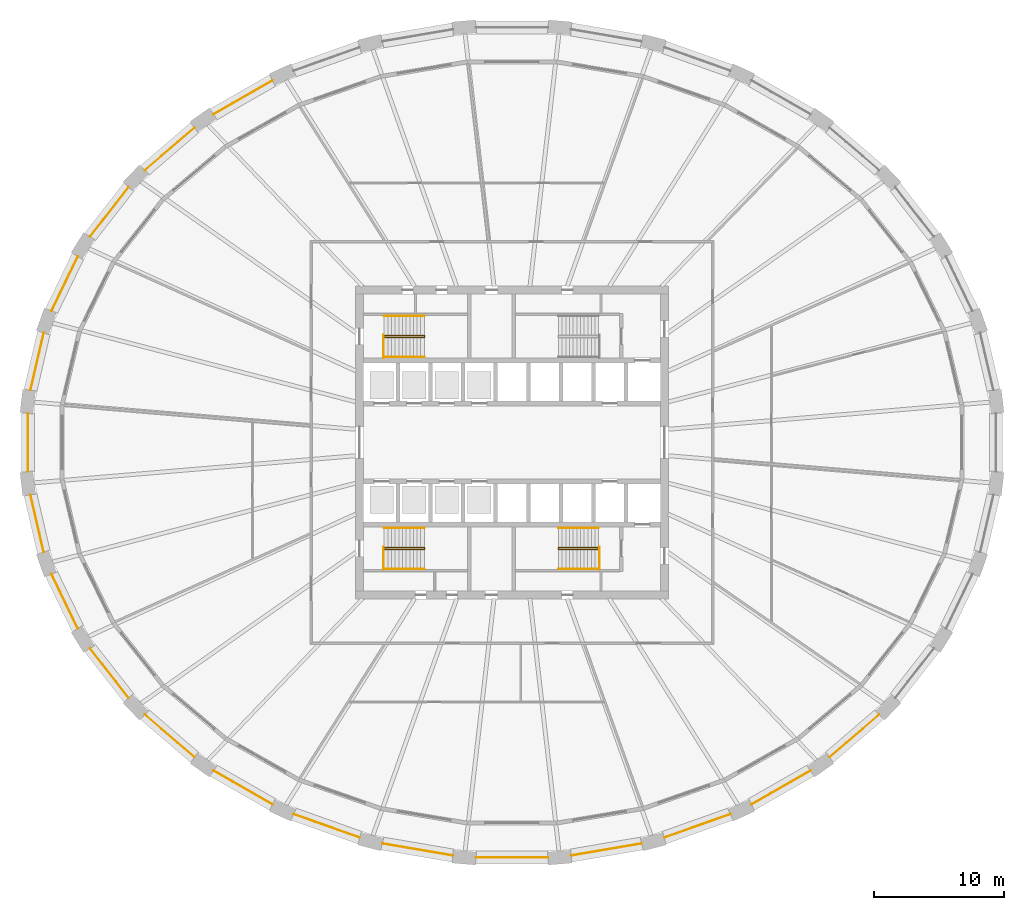
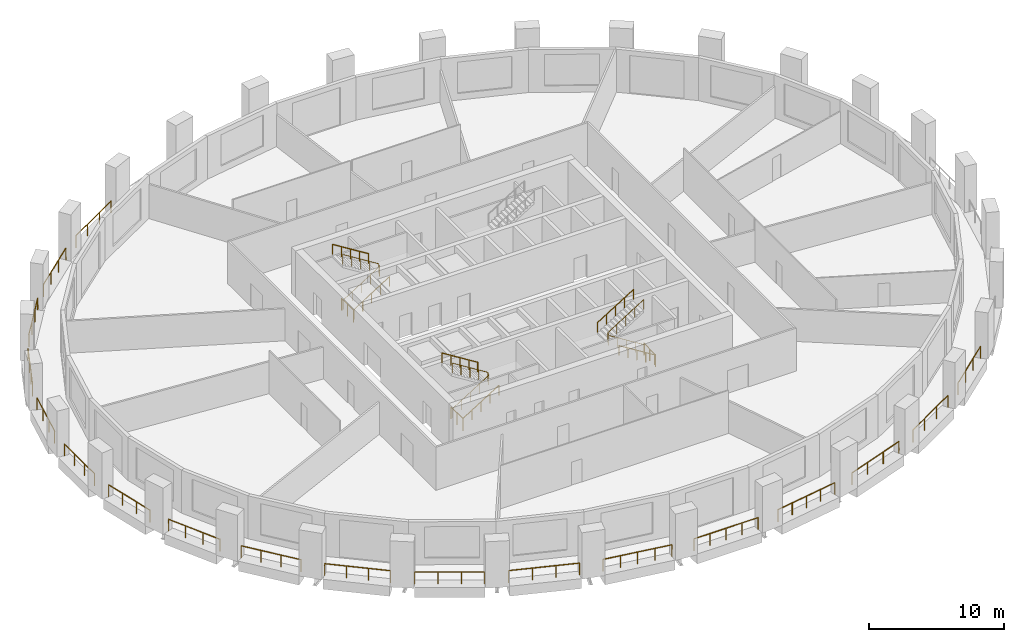
# One storey, part 8 of 10: 30 railings.
"""IFC4 building model written with IfcOpenShell, lengths in metres."""

from ifc_helpers import new_model, si_unit, direction, frame, origin, origin_2d, place, context, subcontext, project, spatial, circle, extrude, material, type_object, element, save


model = new_model("IFC4")

# Units and contexts
model_context = context("Model", 3, precision=1e-05, world=origin(), true_north=direction((0.0, 1.0)))
body_context = subcontext(model_context, "Body", "Model", "MODEL_VIEW")
ifc_project = project(units=[si_unit("LENGTHUNIT", "METRE"), si_unit("AREAUNIT", "SQUARE_METRE"), si_unit("VOLUMEUNIT", "CUBIC_METRE"), si_unit("PLANEANGLEUNIT", "RADIAN"), si_unit("MASSUNIT", "GRAM", prefix="KILO")], contexts=[model_context])

# Site, building, storey
site_placement = place(None, origin())
site = spatial("IfcSite", under=ifc_project, at=site_placement, CompositionType="ELEMENT")
building_placement = place(site_placement, origin())
building = spatial("IfcBuilding", under=site, at=building_placement, Name="Halqa Exchange Tower", CompositionType="ELEMENT")
storey_placement = place(building_placement, frame((0.0, 0.0, 48.699951171875)))
storey = spatial("IfcBuildingStorey", under=building, at=storey_placement, Name="L10", CompositionType="ELEMENT", Elevation=48.699951171875)

# Railings
ifc_material = material(Name="Stainless steel", Category="steel")
railing_type_1 = type_object("IfcRailingType", Name="Guard 1100 stainless steel", PredefinedType="GUARDRAIL", material=ifc_material)
railing_1_placement = place(storey_placement, frame((-18.37158203125, 27.760986328125, 0.0)))
element("IfcRailing", 1, at=railing_1_placement, inside=storey, type_object=railing_type_1, Name="Loggia guard 11", PredefinedType="GUARDRAIL", context=body_context, shape_type="SweptSolid", body=[
    extrude(circle(Radius=0.02392578125, at=origin_2d()), frame((0.0, 0.0, 1.076171875), z_axis=(-0.867758186628, -0.496986649258, 0.0), x_axis=(0.496986649258, -0.867758186628, 0.0)), (0.0, 0.0, 1.0), 5.209228515625),
    extrude(circle(Radius=0.02099609375, at=origin_2d()), origin(), (0.0, 0.0, 1.0), 1.052001953125),
    extrude(circle(Radius=0.02099609375, at=origin_2d()), frame((-1.5068359375, -0.863037109375, 0.0)), (0.0, 0.0, 1.0), 1.052001953125),
    extrude(circle(Radius=0.02099609375, at=origin_2d()), frame((-3.013427734375, -1.725830078125, 0.0)), (0.0, 0.0, 1.0), 1.052001953125),
    extrude(circle(Radius=0.02099609375, at=origin_2d()), frame((-4.520263671875, -2.5888671875, 0.0)), (0.0, 0.0, 1.0), 1.052001953125),
])
railing_2_placement = place(storey_placement, frame((-24.356201171875, 24.138916015625, 0.0)))
element("IfcRailing", 2, at=railing_2_placement, inside=storey, type_object=railing_type_1, Name="Loggia guard 12", PredefinedType="GUARDRAIL", context=body_context, shape_type="SweptSolid", body=[
    extrude(circle(Radius=0.02392578125, at=origin_2d()), frame((0.0, 0.0, 1.076171875), z_axis=(-0.759256602365, -0.650791373456, 0.0), x_axis=(0.650791373456, -0.759256602365, 0.0)), (0.0, 0.0, 1.0), 5.0126953125),
    extrude(circle(Radius=0.02099609375, at=origin_2d()), origin(), (0.0, 0.0, 1.0), 1.052001953125),
    extrude(circle(Radius=0.02099609375, at=origin_2d()), frame((-1.2685546875, -1.08740234375, 0.0)), (0.0, 0.0, 1.0), 1.052001953125),
    extrude(circle(Radius=0.02099609375, at=origin_2d()), frame((-2.537353515625, -2.1748046875, 0.0)), (0.0, 0.0, 1.0), 1.052001953125),
    extrude(circle(Radius=0.02099609375, at=origin_2d()), frame((-3.805908203125, -3.26220703125, 0.0)), (0.0, 0.0, 1.0), 1.052001953125),
])
railing_3_placement = place(storey_placement, frame((-29.398681640625, 19.581298828125, 0.0)))
element("IfcRailing", 3, at=railing_3_placement, inside=storey, type_object=railing_type_1, Name="Loggia guard 13", PredefinedType="GUARDRAIL", context=body_context, shape_type="SweptSolid", body=[
    extrude(circle(Radius=0.02392578125, at=origin_2d()), frame((0.0, 0.0, 1.076171875), z_axis=(-0.61480458382, -0.788679480977, 0.0), x_axis=(0.788679480977, -0.61480458382, 0.0)), (0.0, 0.0, 1.0), 4.810546875),
    extrude(circle(Radius=0.02099609375, at=origin_2d()), origin(), (0.0, 0.0, 1.0), 1.052001953125),
    extrude(circle(Radius=0.02099609375, at=origin_2d()), frame((-0.98583984375, -1.2646484375, 0.0)), (0.0, 0.0, 1.0), 1.052001953125),
    extrude(circle(Radius=0.02099609375, at=origin_2d()), frame((-1.9716796875, -2.529296875, 0.0)), (0.0, 0.0, 1.0), 1.052001953125),
    extrude(circle(Radius=0.02099609375, at=origin_2d()), frame((-2.95751953125, -3.7939453125, 0.0)), (0.0, 0.0, 1.0), 1.052001953125),
])
railing_4_placement = place(storey_placement, frame((-33.30126953125, 14.267333984375, 0.0)))
element("IfcRailing", 4, at=railing_4_placement, inside=storey, type_object=railing_type_1, Name="Loggia guard 14", PredefinedType="GUARDRAIL", context=body_context, shape_type="SweptSolid", body=[
    extrude(circle(Radius=0.02392578125, at=origin_2d()), frame((0.0, 0.0, 1.076171875), z_axis=(-0.435096763468, -0.900383699552, 0.0), x_axis=(0.900383699552, -0.435096763468, 0.0)), (0.0, 0.0, 1.0), 4.6337890625),
    extrude(circle(Radius=0.02099609375, at=origin_2d()), origin(), (0.0, 0.0, 1.0), 1.052001953125),
    extrude(circle(Radius=0.02099609375, at=origin_2d()), frame((-0.672119140625, -1.390625, 0.0)), (0.0, 0.0, 1.0), 1.052001953125),
    extrude(circle(Radius=0.02099609375, at=origin_2d()), frame((-1.343994140625, -2.781494140625, 0.0)), (0.0, 0.0, 1.0), 1.052001953125),
    extrude(circle(Radius=0.02099609375, at=origin_2d()), frame((-2.01611328125, -4.172119140625, 0.0)), (0.0, 0.0, 1.0), 1.052001953125),
])
railing_5_placement = place(storey_placement, frame((-35.912353515625, 8.408203125, 0.0)))
element("IfcRailing", 5, at=railing_5_placement, inside=storey, type_object=railing_type_1, Name="Loggia guard 15", PredefinedType="GUARDRAIL", context=body_context, shape_type="SweptSolid", body=[
    extrude(circle(Radius=0.02392578125, at=origin_2d()), frame((0.0, 0.0, 1.076171875), z_axis=(-0.226056381748, -0.974114219315, 0.0), x_axis=(0.974114219315, -0.226056381748, 0.0)), (0.0, 0.0, 1.0), 4.513427734375),
    extrude(circle(Radius=0.02099609375, at=origin_2d()), origin(), (0.0, 0.0, 1.0), 1.052001953125),
    extrude(circle(Radius=0.02099609375, at=origin_2d()), frame((-0.340087890625, -1.465576171875, 0.0)), (0.0, 0.0, 1.0), 1.052001953125),
    extrude(circle(Radius=0.02099609375, at=origin_2d()), frame((-0.68017578125, -2.930908203125, 0.0)), (0.0, 0.0, 1.0), 1.052001953125),
    extrude(circle(Radius=0.02099609375, at=origin_2d()), frame((-1.020263671875, -4.396484375, 0.0)), (0.0, 0.0, 1.0), 1.052001953125),
])
railing_6_placement = place(storey_placement, frame((-37.135986328125, 2.235107421875, 0.0)))
element("IfcRailing", 6, at=railing_6_placement, inside=storey, type_object=railing_type_1, Name="Loggia guard 16", PredefinedType="GUARDRAIL", context=body_context, shape_type="SweptSolid", body=[
    extrude(circle(Radius=0.02392578125, at=origin_2d()), frame((0.0, 0.0, 1.076171875), z_axis=(0.0, -1.0, 0.0), x_axis=(1.0, 0.0, 0.0)), (0.0, 0.0, 1.0), 4.47021484375),
    extrude(circle(Radius=0.02099609375, at=origin_2d()), origin(), (0.0, 0.0, 1.0), 1.052001953125),
    extrude(circle(Radius=0.02099609375, at=origin_2d()), frame((0.0, -1.489990234375, 0.0)), (0.0, 0.0, 1.0), 1.052001953125),
    extrude(circle(Radius=0.02099609375, at=origin_2d()), frame((0.0, -2.980224609375, 0.0)), (0.0, 0.0, 1.0), 1.052001953125),
    extrude(circle(Radius=0.02099609375, at=origin_2d()), frame((0.0, -4.47021484375, 0.0)), (0.0, 0.0, 1.0), 1.052001953125),
])
railing_7_placement = place(storey_placement, frame((-36.9326171875, -4.01171875, 0.0)))
element("IfcRailing", 7, at=railing_7_placement, inside=storey, type_object=railing_type_1, Name="Loggia guard 17", PredefinedType="GUARDRAIL", context=body_context, shape_type="SweptSolid", body=[
    extrude(circle(Radius=0.02392578125, at=origin_2d()), frame((0.0, 0.0, 1.076171875), z_axis=(0.226056381748, -0.974114219315, 0.0), x_axis=(0.974114219315, 0.226056381748, 0.0)), (0.0, 0.0, 1.0), 4.513427734375),
    extrude(circle(Radius=0.02099609375, at=origin_2d()), origin(), (0.0, 0.0, 1.0), 1.052001953125),
    extrude(circle(Radius=0.02099609375, at=origin_2d()), frame((0.340087890625, -1.465576171875, 0.0)), (0.0, 0.0, 1.0), 1.052001953125),
    extrude(circle(Radius=0.02099609375, at=origin_2d()), frame((0.68017578125, -2.930908203125, 0.0)), (0.0, 0.0, 1.0), 1.052001953125),
    extrude(circle(Radius=0.02099609375, at=origin_2d()), frame((1.020263671875, -4.396484375, 0.0)), (0.0, 0.0, 1.0), 1.052001953125),
])
railing_8_placement = place(storey_placement, frame((-35.3173828125, -10.09521484375, 0.0)))
element("IfcRailing", 8, at=railing_8_placement, inside=storey, type_object=railing_type_1, Name="Loggia guard 18", PredefinedType="GUARDRAIL", context=body_context, shape_type="SweptSolid", body=[
    extrude(circle(Radius=0.02392578125, at=origin_2d()), frame((0.0, 0.0, 1.076171875), z_axis=(0.435096763468, -0.900383699552, 0.0), x_axis=(0.900383699552, 0.435096763468, 0.0)), (0.0, 0.0, 1.0), 4.6337890625),
    extrude(circle(Radius=0.02099609375, at=origin_2d()), origin(), (0.0, 0.0, 1.0), 1.052001953125),
    extrude(circle(Radius=0.02099609375, at=origin_2d()), frame((0.672119140625, -1.390625, 0.0)), (0.0, 0.0, 1.0), 1.052001953125),
    extrude(circle(Radius=0.02099609375, at=origin_2d()), frame((1.343994140625, -2.781494140625, 0.0)), (0.0, 0.0, 1.0), 1.052001953125),
    extrude(circle(Radius=0.02099609375, at=origin_2d()), frame((2.01611328125, -4.172119140625, 0.0)), (0.0, 0.0, 1.0), 1.052001953125),
])
railing_9_placement = place(storey_placement, frame((-32.356201171875, -15.787353515625, 0.0)))
element("IfcRailing", 9, at=railing_9_placement, inside=storey, type_object=railing_type_1, Name="Loggia guard 19", PredefinedType="GUARDRAIL", context=body_context, shape_type="SweptSolid", body=[
    extrude(circle(Radius=0.02392578125, at=origin_2d()), frame((0.0, 0.0, 1.076171875), z_axis=(0.61480458382, -0.788679480977, 0.0), x_axis=(0.788679480977, 0.61480458382, 0.0)), (0.0, 0.0, 1.0), 4.810546875),
    extrude(circle(Radius=0.02099609375, at=origin_2d()), origin(), (0.0, 0.0, 1.0), 1.052001953125),
    extrude(circle(Radius=0.02099609375, at=origin_2d()), frame((0.98583984375, -1.2646484375, 0.0)), (0.0, 0.0, 1.0), 1.052001953125),
    extrude(circle(Radius=0.02099609375, at=origin_2d()), frame((1.9716796875, -2.529296875, 0.0)), (0.0, 0.0, 1.0), 1.052001953125),
    extrude(circle(Radius=0.02099609375, at=origin_2d()), frame((2.95751953125, -3.7939453125, 0.0)), (0.0, 0.0, 1.0), 1.052001953125),
])
railing_10_placement = place(storey_placement, frame((-28.162109375, -20.876708984375, 0.0)))
element("IfcRailing", 10, at=railing_10_placement, inside=storey, type_object=railing_type_1, Name="Loggia guard 20", PredefinedType="GUARDRAIL", context=body_context, shape_type="SweptSolid", body=[
    extrude(circle(Radius=0.02392578125, at=origin_2d()), frame((0.0, 0.0, 1.076171875), z_axis=(0.759256602365, -0.650791373456, 0.0), x_axis=(0.650791373456, 0.759256602365, 0.0)), (0.0, 0.0, 1.0), 5.0126953125),
    extrude(circle(Radius=0.02099609375, at=origin_2d()), origin(), (0.0, 0.0, 1.0), 1.052001953125),
    extrude(circle(Radius=0.02099609375, at=origin_2d()), frame((1.2685546875, -1.08740234375, 0.0)), (0.0, 0.0, 1.0), 1.052001953125),
    extrude(circle(Radius=0.02099609375, at=origin_2d()), frame((2.537353515625, -2.1748046875, 0.0)), (0.0, 0.0, 1.0), 1.052001953125),
    extrude(circle(Radius=0.02099609375, at=origin_2d()), frame((3.805908203125, -3.26220703125, 0.0)), (0.0, 0.0, 1.0), 1.052001953125),
])
railing_11_placement = place(storey_placement, frame((-22.891845703125, -25.172119140625, 0.0)))
element("IfcRailing", 11, at=railing_11_placement, inside=storey, type_object=railing_type_1, Name="Loggia guard 21", PredefinedType="GUARDRAIL", context=body_context, shape_type="SweptSolid", body=[
    extrude(circle(Radius=0.02392578125, at=origin_2d()), frame((0.0, 0.0, 1.076171875), z_axis=(0.867758186628, -0.496986649258, 0.0), x_axis=(0.496986649258, 0.867758186628, 0.0)), (0.0, 0.0, 1.0), 5.209228515625),
    extrude(circle(Radius=0.02099609375, at=origin_2d()), origin(), (0.0, 0.0, 1.0), 1.052001953125),
    extrude(circle(Radius=0.02099609375, at=origin_2d()), frame((1.5068359375, -0.863037109375, 0.0)), (0.0, 0.0, 1.0), 1.052001953125),
    extrude(circle(Radius=0.02099609375, at=origin_2d()), frame((3.013427734375, -1.725830078125, 0.0)), (0.0, 0.0, 1.0), 1.052001953125),
    extrude(circle(Radius=0.02099609375, at=origin_2d()), frame((4.520263671875, -2.5888671875, 0.0)), (0.0, 0.0, 1.0), 1.052001953125),
])
railing_12_placement = place(storey_placement, frame((-16.742431640625, -28.509521484375, 0.0)))
element("IfcRailing", 12, at=railing_12_placement, inside=storey, type_object=railing_type_1, Name="Loggia guard 22", PredefinedType="GUARDRAIL", context=body_context, shape_type="SweptSolid", body=[
    extrude(circle(Radius=0.02392578125, at=origin_2d()), frame((0.0, 0.0, 1.076171875), z_axis=(0.942373671262, -0.334562197075, 0.0), x_axis=(0.334562197075, 0.942373671262, 0.0)), (0.0, 0.0, 1.0), 5.37158203125),
    extrude(circle(Radius=0.02099609375, at=origin_2d()), origin(), (0.0, 0.0, 1.0), 1.052001953125),
    extrude(circle(Radius=0.02099609375, at=origin_2d()), frame((1.687255859375, -0.59912109375, 0.0)), (0.0, 0.0, 1.0), 1.052001953125),
    extrude(circle(Radius=0.02099609375, at=origin_2d()), frame((3.374755859375, -1.197998046875, 0.0)), (0.0, 0.0, 1.0), 1.052001953125),
    extrude(circle(Radius=0.02099609375, at=origin_2d()), frame((5.06201171875, -1.797119140625, 0.0)), (0.0, 0.0, 1.0), 1.052001953125),
])
railing_13_placement = place(storey_placement, frame((-9.945068359375, -30.759033203125, 0.0)))
element("IfcRailing", 13, at=railing_13_placement, inside=storey, type_object=railing_type_1, Name="Loggia guard 23", PredefinedType="GUARDRAIL", context=body_context, shape_type="SweptSolid", body=[
    extrude(circle(Radius=0.02392578125, at=origin_2d()), frame((0.0, 0.0, 1.076171875), z_axis=(0.985776430596, -0.168061979284, 0.0), x_axis=(0.168061979284, 0.985776430596, 0.0)), (0.0, 0.0, 1.0), 5.47802734375),
    extrude(circle(Radius=0.02099609375, at=origin_2d()), origin(), (0.0, 0.0, 1.0), 1.052001953125),
    extrude(circle(Radius=0.02099609375, at=origin_2d()), frame((1.35009765625, -0.230224609375, 0.0)), (0.0, 0.0, 1.0), 1.052001953125),
    extrude(circle(Radius=0.02099609375, at=origin_2d()), frame((2.7001953125, -0.46044921875, 0.0)), (0.0, 0.0, 1.0), 1.052001953125),
    extrude(circle(Radius=0.02099609375, at=origin_2d()), frame((4.050048828125, -0.6904296875, 0.0)), (0.0, 0.0, 1.0), 1.052001953125),
    extrude(circle(Radius=0.02099609375, at=origin_2d()), frame((5.400146484375, -0.920654296875, 0.0)), (0.0, 0.0, 1.0), 1.052001953125),
])
railing_14_placement = place(storey_placement, frame((-2.757568359375, -31.8310546875, 0.0)))
element("IfcRailing", 14, at=railing_14_placement, inside=storey, type_object=railing_type_1, Name="Loggia guard 24", PredefinedType="GUARDRAIL", context=body_context, shape_type="SweptSolid", body=[
    extrude(circle(Radius=0.02392578125, at=origin_2d()), frame((0.0, 0.0, 1.076171875), z_axis=(1.0, 0.0, 0.0), x_axis=(0.0, 1.0, 0.0)), (0.0, 0.0, 1.0), 5.51513671875),
    extrude(circle(Radius=0.02099609375, at=origin_2d()), origin(), (0.0, 0.0, 1.0), 1.052001953125),
    extrude(circle(Radius=0.02099609375, at=origin_2d()), frame((1.37890625, 0.0, 0.0)), (0.0, 0.0, 1.0), 1.052001953125),
    extrude(circle(Radius=0.02099609375, at=origin_2d()), frame((2.757568359375, 0.0, 0.0)), (0.0, 0.0, 1.0), 1.052001953125),
    extrude(circle(Radius=0.02099609375, at=origin_2d()), frame((4.13623046875, 0.0, 0.0)), (0.0, 0.0, 1.0), 1.052001953125),
    extrude(circle(Radius=0.02099609375, at=origin_2d()), frame((5.51513671875, 0.0, 0.0)), (0.0, 0.0, 1.0), 1.052001953125),
])
railing_15_placement = place(storey_placement, frame((4.544921875, -31.6796875, 0.0)))
element("IfcRailing", 15, at=railing_15_placement, inside=storey, type_object=railing_type_1, Name="Loggia guard 25", PredefinedType="GUARDRAIL", context=body_context, shape_type="SweptSolid", body=[
    extrude(circle(Radius=0.02392578125, at=origin_2d()), frame((0.0, 0.0, 1.076171875), z_axis=(0.985776430596, 0.168061979284, 0.0), x_axis=(-0.168061979284, 0.985776430596, 0.0)), (0.0, 0.0, 1.0), 5.47802734375),
    extrude(circle(Radius=0.02099609375, at=origin_2d()), origin(), (0.0, 0.0, 1.0), 1.052001953125),
    extrude(circle(Radius=0.02099609375, at=origin_2d()), frame((1.35009765625, 0.230224609375, 0.0)), (0.0, 0.0, 1.0), 1.052001953125),
    extrude(circle(Radius=0.02099609375, at=origin_2d()), frame((2.7001953125, 0.46044921875, 0.0)), (0.0, 0.0, 1.0), 1.052001953125),
    extrude(circle(Radius=0.02099609375, at=origin_2d()), frame((4.050048828125, 0.6904296875, 0.0)), (0.0, 0.0, 1.0), 1.052001953125),
    extrude(circle(Radius=0.02099609375, at=origin_2d()), frame((5.400146484375, 0.920654296875, 0.0)), (0.0, 0.0, 1.0), 1.052001953125),
])
railing_16_placement = place(storey_placement, frame((11.680419921875, -30.306640625, 0.0)))
element("IfcRailing", 16, at=railing_16_placement, inside=storey, type_object=railing_type_1, Name="Loggia guard 26", PredefinedType="GUARDRAIL", context=body_context, shape_type="SweptSolid", body=[
    extrude(circle(Radius=0.02392578125, at=origin_2d()), frame((0.0, 0.0, 1.076171875), z_axis=(0.942373671262, 0.334562197075, 0.0), x_axis=(-0.334562197075, 0.942373671262, 0.0)), (0.0, 0.0, 1.0), 5.37158203125),
    extrude(circle(Radius=0.02099609375, at=origin_2d()), origin(), (0.0, 0.0, 1.0), 1.052001953125),
    extrude(circle(Radius=0.02099609375, at=origin_2d()), frame((1.687255859375, 0.59912109375, 0.0)), (0.0, 0.0, 1.0), 1.052001953125),
    extrude(circle(Radius=0.02099609375, at=origin_2d()), frame((3.374755859375, 1.197998046875, 0.0)), (0.0, 0.0, 1.0), 1.052001953125),
    extrude(circle(Radius=0.02099609375, at=origin_2d()), frame((5.06201171875, 1.797119140625, 0.0)), (0.0, 0.0, 1.0), 1.052001953125),
])
railing_17_placement = place(storey_placement, frame((18.37158203125, -27.760986328125, 0.0)))
element("IfcRailing", 17, at=railing_17_placement, inside=storey, type_object=railing_type_1, Name="Loggia guard 27", PredefinedType="GUARDRAIL", context=body_context, shape_type="SweptSolid", body=[
    extrude(circle(Radius=0.02392578125, at=origin_2d()), frame((0.0, 0.0, 1.076171875), z_axis=(0.867758186628, 0.496986649258, 0.0), x_axis=(-0.496986649258, 0.867758186628, 0.0)), (0.0, 0.0, 1.0), 5.209228515625),
    extrude(circle(Radius=0.02099609375, at=origin_2d()), origin(), (0.0, 0.0, 1.0), 1.052001953125),
    extrude(circle(Radius=0.02099609375, at=origin_2d()), frame((1.5068359375, 0.863037109375, 0.0)), (0.0, 0.0, 1.0), 1.052001953125),
    extrude(circle(Radius=0.02099609375, at=origin_2d()), frame((3.013427734375, 1.725830078125, 0.0)), (0.0, 0.0, 1.0), 1.052001953125),
    extrude(circle(Radius=0.02099609375, at=origin_2d()), frame((4.520263671875, 2.5888671875, 0.0)), (0.0, 0.0, 1.0), 1.052001953125),
])
railing_18_placement = place(storey_placement, frame((24.356201171875, -24.138916015625, 0.0)))
element("IfcRailing", 18, at=railing_18_placement, inside=storey, type_object=railing_type_1, Name="Loggia guard 28", PredefinedType="GUARDRAIL", context=body_context, shape_type="SweptSolid", body=[
    extrude(circle(Radius=0.02392578125, at=origin_2d()), frame((0.0, 0.0, 1.076171875), z_axis=(0.759256602365, 0.650791373456, 0.0), x_axis=(-0.650791373456, 0.759256602365, 0.0)), (0.0, 0.0, 1.0), 5.0126953125),
    extrude(circle(Radius=0.02099609375, at=origin_2d()), origin(), (0.0, 0.0, 1.0), 1.052001953125),
    extrude(circle(Radius=0.02099609375, at=origin_2d()), frame((1.2685546875, 1.08740234375, 0.0)), (0.0, 0.0, 1.0), 1.052001953125),
    extrude(circle(Radius=0.02099609375, at=origin_2d()), frame((2.537353515625, 2.1748046875, 0.0)), (0.0, 0.0, 1.0), 1.052001953125),
    extrude(circle(Radius=0.02099609375, at=origin_2d()), frame((3.805908203125, 3.26220703125, 0.0)), (0.0, 0.0, 1.0), 1.052001953125),
])
railing_type_2 = type_object("IfcRailingType", Name="Stair handrail 900", PredefinedType="HANDRAIL", material=ifc_material)
railing_19_placement = place(storey_placement, frame((-9.800048828125, 8.06005859375, 0.175048828125)))
element("IfcRailing", 19, at=railing_19_placement, inside=storey, type_object=railing_type_2, Name="Handrail ST1.1", PredefinedType="HANDRAIL", context=body_context, shape_type="SweptSolid", body=[
    extrude(circle(Radius=0.02392578125, at=origin_2d()), frame((0.0, 0.0, 0.8759765625), z_axis=(0.847998304005, 0.0, 0.529998940003), x_axis=(0.0, 1.0, 0.0)), (0.0, 0.0, 1.0), 3.632080078125),
    extrude(circle(Radius=0.02392578125, at=origin_2d()), frame((3.080078125, 0.0, 2.80078125), z_axis=(0.0, 0.595870227118, 0.803080738428), x_axis=(-1.0, 0.0, 0.0)), (0.0, 0.0, 1.0), 0.218017578125),
    extrude(circle(Radius=0.02392578125, at=origin_2d()), frame((3.080078125, 0.1298828125, 2.97607421875), z_axis=(-0.848028513186, 0.0, 0.529950602248), x_axis=(0.0, -1.0, 0.0)), (0.0, 0.0, 1.0), 3.632080078125),
    extrude(circle(Radius=0.02099609375, at=origin_2d()), origin(), (0.0, 0.0, 1.0), 0.851806640625),
    extrude(circle(Radius=0.02099609375, at=origin_2d()), frame((0.77001953125, 0.0, 0.481201171875)), (0.0, 0.0, 1.0), 0.851806640625),
    extrude(circle(Radius=0.02099609375, at=origin_2d()), frame((1.5400390625, 0.0, 0.96240234375)), (0.0, 0.0, 1.0), 0.851806640625),
    extrude(circle(Radius=0.02099609375, at=origin_2d()), frame((2.31005859375, 0.0, 1.44384765625)), (0.0, 0.0, 1.0), 0.851806640625),
    extrude(circle(Radius=0.02099609375, at=origin_2d()), frame((3.080078125, 0.0, 1.925048828125)), (0.0, 0.0, 1.0), 0.851806640625),
    extrude(circle(Radius=0.02099609375, at=origin_2d()), frame((3.080078125, 0.1298828125, 2.10009765625)), (0.0, 0.0, 1.0), 0.851806640625),
    extrude(circle(Radius=0.02099609375, at=origin_2d()), frame((2.31005859375, 0.1298828125, 2.581298828125)), (0.0, 0.0, 1.0), 0.851806640625),
    extrude(circle(Radius=0.02099609375, at=origin_2d()), frame((1.5400390625, 0.1298828125, 3.0625)), (0.0, 0.0, 1.0), 0.851806640625),
    extrude(circle(Radius=0.02099609375, at=origin_2d()), frame((0.77001953125, 0.1298828125, 3.543701171875)), (0.0, 0.0, 1.0), 0.851806640625),
    extrude(circle(Radius=0.02099609375, at=origin_2d()), frame((0.0, 0.1298828125, 4.02490234375)), (0.0, 0.0, 1.0), 0.851806640625),
])
railing_20_placement = place(storey_placement, frame((-9.800048828125, 6.550048828125, 0.175048828125)))
element("IfcRailing", 20, at=railing_20_placement, inside=storey, type_object=railing_type_2, Name="Handrail ST1.2", PredefinedType="HANDRAIL", context=body_context, shape_type="SweptSolid", body=[
    extrude(circle(Radius=0.02392578125, at=origin_2d()), frame((0.0, 0.0, 0.8759765625), z_axis=(0.847998304005, 0.0, 0.529998940003), x_axis=(0.0, 1.0, 0.0)), (0.0, 0.0, 1.0), 3.632080078125),
    extrude(circle(Radius=0.02099609375, at=origin_2d()), origin(), (0.0, 0.0, 1.0), 0.851806640625),
    extrude(circle(Radius=0.02099609375, at=origin_2d()), frame((0.77001953125, 0.0, 0.481201171875)), (0.0, 0.0, 1.0), 0.851806640625),
    extrude(circle(Radius=0.02099609375, at=origin_2d()), frame((1.5400390625, 0.0, 0.96240234375)), (0.0, 0.0, 1.0), 0.851806640625),
    extrude(circle(Radius=0.02099609375, at=origin_2d()), frame((2.31005859375, 0.0, 1.44384765625)), (0.0, 0.0, 1.0), 0.851806640625),
    extrude(circle(Radius=0.02099609375, at=origin_2d()), frame((3.080078125, 0.0, 1.925048828125)), (0.0, 0.0, 1.0), 0.851806640625),
])
railing_21_placement = place(storey_placement, frame((-6.719970703125, 9.699951171875, 2.275146484375)))
element("IfcRailing", 21, at=railing_21_placement, inside=storey, type_object=railing_type_2, Name="Handrail ST1.3", PredefinedType="HANDRAIL", context=body_context, shape_type="SweptSolid", body=[
    extrude(circle(Radius=0.02392578125, at=origin_2d()), frame((0.0, 0.0, 0.8759765625), z_axis=(-0.848028513186, 0.0, 0.529950602248), x_axis=(0.0, -1.0, 0.0)), (0.0, 0.0, 1.0), 3.632080078125),
    extrude(circle(Radius=0.02099609375, at=origin_2d()), origin(), (0.0, 0.0, 1.0), 0.851806640625),
    extrude(circle(Radius=0.02099609375, at=origin_2d()), frame((-0.77001953125, 0.0, 0.481201171875)), (0.0, 0.0, 1.0), 0.851806640625),
    extrude(circle(Radius=0.02099609375, at=origin_2d()), frame((-1.5400390625, 0.0, 0.96240234375)), (0.0, 0.0, 1.0), 0.851806640625),
    extrude(circle(Radius=0.02099609375, at=origin_2d()), frame((-2.31005859375, 0.0, 1.443603515625)), (0.0, 0.0, 1.0), 0.851806640625),
    extrude(circle(Radius=0.02099609375, at=origin_2d()), frame((-3.080078125, 0.0, 1.9248046875)), (0.0, 0.0, 1.0), 0.851806640625),
])
railing_22_placement = place(storey_placement, frame((-9.800048828125, -8.18994140625, 0.175048828125)))
element("IfcRailing", 22, at=railing_22_placement, inside=storey, type_object=railing_type_2, Name="Handrail ST3.1", PredefinedType="HANDRAIL", context=body_context, shape_type="SweptSolid", body=[
    extrude(circle(Radius=0.02392578125, at=origin_2d()), frame((0.0, 0.0, 0.8759765625), z_axis=(0.847998304005, 0.0, 0.529998940003), x_axis=(0.0, 1.0, 0.0)), (0.0, 0.0, 1.0), 3.632080078125),
    extrude(circle(Radius=0.02392578125, at=origin_2d()), frame((3.080078125, 0.0, 2.80078125), z_axis=(0.0, 0.595870227118, 0.803080738428), x_axis=(-1.0, 0.0, 0.0)), (0.0, 0.0, 1.0), 0.218017578125),
    extrude(circle(Radius=0.02392578125, at=origin_2d()), frame((3.080078125, 0.1298828125, 2.97607421875), z_axis=(-0.848028513186, 0.0, 0.529950602248), x_axis=(0.0, -1.0, 0.0)), (0.0, 0.0, 1.0), 3.632080078125),
    extrude(circle(Radius=0.02099609375, at=origin_2d()), origin(), (0.0, 0.0, 1.0), 0.851806640625),
    extrude(circle(Radius=0.02099609375, at=origin_2d()), frame((0.77001953125, 0.0, 0.481201171875)), (0.0, 0.0, 1.0), 0.851806640625),
    extrude(circle(Radius=0.02099609375, at=origin_2d()), frame((1.5400390625, 0.0, 0.96240234375)), (0.0, 0.0, 1.0), 0.851806640625),
    extrude(circle(Radius=0.02099609375, at=origin_2d()), frame((2.31005859375, 0.0, 1.44384765625)), (0.0, 0.0, 1.0), 0.851806640625),
    extrude(circle(Radius=0.02099609375, at=origin_2d()), frame((3.080078125, 0.0, 1.925048828125)), (0.0, 0.0, 1.0), 0.851806640625),
    extrude(circle(Radius=0.02099609375, at=origin_2d()), frame((3.080078125, 0.1298828125, 2.10009765625)), (0.0, 0.0, 1.0), 0.851806640625),
    extrude(circle(Radius=0.02099609375, at=origin_2d()), frame((2.31005859375, 0.1298828125, 2.581298828125)), (0.0, 0.0, 1.0), 0.851806640625),
    extrude(circle(Radius=0.02099609375, at=origin_2d()), frame((1.5400390625, 0.1298828125, 3.0625)), (0.0, 0.0, 1.0), 0.851806640625),
    extrude(circle(Radius=0.02099609375, at=origin_2d()), frame((0.77001953125, 0.1298828125, 3.543701171875)), (0.0, 0.0, 1.0), 0.851806640625),
    extrude(circle(Radius=0.02099609375, at=origin_2d()), frame((0.0, 0.1298828125, 4.02490234375)), (0.0, 0.0, 1.0), 0.851806640625),
])
railing_23_placement = place(storey_placement, frame((-9.800048828125, -9.699951171875, 0.175048828125)))
element("IfcRailing", 23, at=railing_23_placement, inside=storey, type_object=railing_type_2, Name="Handrail ST3.2", PredefinedType="HANDRAIL", context=body_context, shape_type="SweptSolid", body=[
    extrude(circle(Radius=0.02392578125, at=origin_2d()), frame((0.0, 0.0, 0.8759765625), z_axis=(0.847998304005, 0.0, 0.529998940003), x_axis=(0.0, 1.0, 0.0)), (0.0, 0.0, 1.0), 3.632080078125),
    extrude(circle(Radius=0.02099609375, at=origin_2d()), origin(), (0.0, 0.0, 1.0), 0.851806640625),
    extrude(circle(Radius=0.02099609375, at=origin_2d()), frame((0.77001953125, 0.0, 0.481201171875)), (0.0, 0.0, 1.0), 0.851806640625),
    extrude(circle(Radius=0.02099609375, at=origin_2d()), frame((1.5400390625, 0.0, 0.96240234375)), (0.0, 0.0, 1.0), 0.851806640625),
    extrude(circle(Radius=0.02099609375, at=origin_2d()), frame((2.31005859375, 0.0, 1.44384765625)), (0.0, 0.0, 1.0), 0.851806640625),
    extrude(circle(Radius=0.02099609375, at=origin_2d()), frame((3.080078125, 0.0, 1.925048828125)), (0.0, 0.0, 1.0), 0.851806640625),
])
railing_24_placement = place(storey_placement, frame((-6.719970703125, -6.550048828125, 2.275146484375)))
element("IfcRailing", 24, at=railing_24_placement, inside=storey, type_object=railing_type_2, Name="Handrail ST3.3", PredefinedType="HANDRAIL", context=body_context, shape_type="SweptSolid", body=[
    extrude(circle(Radius=0.02392578125, at=origin_2d()), frame((0.0, 0.0, 0.8759765625), z_axis=(-0.848028513186, 0.0, 0.529950602248), x_axis=(0.0, -1.0, 0.0)), (0.0, 0.0, 1.0), 3.632080078125),
    extrude(circle(Radius=0.02099609375, at=origin_2d()), origin(), (0.0, 0.0, 1.0), 0.851806640625),
    extrude(circle(Radius=0.02099609375, at=origin_2d()), frame((-0.77001953125, 0.0, 0.481201171875)), (0.0, 0.0, 1.0), 0.851806640625),
    extrude(circle(Radius=0.02099609375, at=origin_2d()), frame((-1.5400390625, 0.0, 0.96240234375)), (0.0, 0.0, 1.0), 0.851806640625),
    extrude(circle(Radius=0.02099609375, at=origin_2d()), frame((-2.31005859375, 0.0, 1.443603515625)), (0.0, 0.0, 1.0), 0.851806640625),
    extrude(circle(Radius=0.02099609375, at=origin_2d()), frame((-3.080078125, 0.0, 1.9248046875)), (0.0, 0.0, 1.0), 0.851806640625),
])
railing_25_placement = place(storey_placement, frame((6.64990234375, -8.18994140625, 0.175048828125)))
element("IfcRailing", 25, at=railing_25_placement, inside=storey, type_object=railing_type_2, Name="Handrail ST4.1", PredefinedType="HANDRAIL", context=body_context, shape_type="SweptSolid", body=[
    extrude(circle(Radius=0.02392578125, at=origin_2d()), frame((0.0, 0.0, 0.8759765625), z_axis=(-0.847979421464, 0.0, 0.530029150871), x_axis=(0.0, -1.0, 0.0)), (0.0, 0.0, 1.0), 3.632080078125),
    extrude(circle(Radius=0.02392578125, at=origin_2d()), frame((-3.079833984375, 0.0, 2.80078125), z_axis=(0.0, 0.595870227118, 0.803080738428), x_axis=(-1.0, 0.0, 0.0)), (0.0, 0.0, 1.0), 0.218017578125),
    extrude(circle(Radius=0.02392578125, at=origin_2d()), frame((-3.079833984375, 0.1298828125, 2.97607421875), z_axis=(0.848009633417, 0.0, 0.529980812513), x_axis=(0.0, 1.0, 0.0)), (0.0, 0.0, 1.0), 3.6318359375),
    extrude(circle(Radius=0.02099609375, at=origin_2d()), origin(), (0.0, 0.0, 1.0), 0.851806640625),
    extrude(circle(Radius=0.02099609375, at=origin_2d()), frame((-0.77001953125, 0.0, 0.481201171875)), (0.0, 0.0, 1.0), 0.851806640625),
    extrude(circle(Radius=0.02099609375, at=origin_2d()), frame((-1.5400390625, 0.0, 0.96240234375)), (0.0, 0.0, 1.0), 0.851806640625),
    extrude(circle(Radius=0.02099609375, at=origin_2d()), frame((-2.309814453125, 0.0, 1.44384765625)), (0.0, 0.0, 1.0), 0.851806640625),
    extrude(circle(Radius=0.02099609375, at=origin_2d()), frame((-3.079833984375, 0.0, 1.925048828125)), (0.0, 0.0, 1.0), 0.851806640625),
    extrude(circle(Radius=0.02099609375, at=origin_2d()), frame((-3.079833984375, 0.1298828125, 2.10009765625)), (0.0, 0.0, 1.0), 0.851806640625),
    extrude(circle(Radius=0.02099609375, at=origin_2d()), frame((-2.309814453125, 0.1298828125, 2.581298828125)), (0.0, 0.0, 1.0), 0.851806640625),
    extrude(circle(Radius=0.02099609375, at=origin_2d()), frame((-1.5400390625, 0.1298828125, 3.0625)), (0.0, 0.0, 1.0), 0.851806640625),
    extrude(circle(Radius=0.02099609375, at=origin_2d()), frame((-0.77001953125, 0.1298828125, 3.543701171875)), (0.0, 0.0, 1.0), 0.851806640625),
    extrude(circle(Radius=0.02099609375, at=origin_2d()), frame((0.0, 0.1298828125, 4.02490234375)), (0.0, 0.0, 1.0), 0.851806640625),
])
railing_26_placement = place(storey_placement, frame((6.64990234375, -9.699951171875, 0.175048828125)))
element("IfcRailing", 26, at=railing_26_placement, inside=storey, type_object=railing_type_2, Name="Handrail ST4.2", PredefinedType="HANDRAIL", context=body_context, shape_type="SweptSolid", body=[
    extrude(circle(Radius=0.02392578125, at=origin_2d()), frame((0.0, 0.0, 0.8759765625), z_axis=(-0.847979421464, 0.0, 0.530029150871), x_axis=(0.0, -1.0, 0.0)), (0.0, 0.0, 1.0), 3.632080078125),
    extrude(circle(Radius=0.02099609375, at=origin_2d()), origin(), (0.0, 0.0, 1.0), 0.851806640625),
    extrude(circle(Radius=0.02099609375, at=origin_2d()), frame((-0.77001953125, 0.0, 0.481201171875)), (0.0, 0.0, 1.0), 0.851806640625),
    extrude(circle(Radius=0.02099609375, at=origin_2d()), frame((-1.5400390625, 0.0, 0.96240234375)), (0.0, 0.0, 1.0), 0.851806640625),
    extrude(circle(Radius=0.02099609375, at=origin_2d()), frame((-2.309814453125, 0.0, 1.44384765625)), (0.0, 0.0, 1.0), 0.851806640625),
    extrude(circle(Radius=0.02099609375, at=origin_2d()), frame((-3.079833984375, 0.0, 1.925048828125)), (0.0, 0.0, 1.0), 0.851806640625),
])
railing_27_placement = place(storey_placement, frame((3.570068359375, -6.550048828125, 2.275146484375)))
element("IfcRailing", 27, at=railing_27_placement, inside=storey, type_object=railing_type_2, Name="Handrail ST4.3", PredefinedType="HANDRAIL", context=body_context, shape_type="SweptSolid", body=[
    extrude(circle(Radius=0.02392578125, at=origin_2d()), frame((0.0, 0.0, 0.8759765625), z_axis=(0.848009633417, 0.0, 0.529980812513), x_axis=(0.0, 1.0, 0.0)), (0.0, 0.0, 1.0), 3.6318359375),
    extrude(circle(Radius=0.02099609375, at=origin_2d()), origin(), (0.0, 0.0, 1.0), 0.851806640625),
    extrude(circle(Radius=0.02099609375, at=origin_2d()), frame((0.77001953125, 0.0, 0.481201171875)), (0.0, 0.0, 1.0), 0.851806640625),
    extrude(circle(Radius=0.02099609375, at=origin_2d()), frame((1.5400390625, 0.0, 0.96240234375)), (0.0, 0.0, 1.0), 0.851806640625),
    extrude(circle(Radius=0.02099609375, at=origin_2d()), frame((2.309814453125, 0.0, 1.443603515625)), (0.0, 0.0, 1.0), 0.851806640625),
    extrude(circle(Radius=0.02099609375, at=origin_2d()), frame((3.079833984375, 0.0, 1.9248046875)), (0.0, 0.0, 1.0), 0.851806640625),
])
railing_type_3 = type_object("IfcRailingType", Name="Stair well guard 1100", PredefinedType="GUARDRAIL", material=ifc_material)
for number, where, name in (
    (28, (-9.85009765625, 6.5, 0.0), "Guard ST1 well"),
    (29, (-9.85009765625, -9.75, 0.0), "Guard ST3 well"),
    (30, (6.699951171875, -9.75, 0.0), "Guard ST4 well"),
):
    element("IfcRailing", number, at=place(storey_placement, frame(where)), inside=storey, type_object=railing_type_3, Name=name, PredefinedType="GUARDRAIL", context=body_context, shape_type="SweptSolid", body=[
        extrude(circle(Radius=0.02392578125, at=origin_2d()), frame((0.0, 0.0, 1.076171875), z_axis=(0.0, 1.0, 0.0), x_axis=(-1.0, 0.0, 0.0)), (0.0, 0.0, 1.0), 1.75),
        extrude(circle(Radius=0.02099609375, at=origin_2d()), origin(), (0.0, 0.0, 1.0), 1.052001953125),
        extrude(circle(Radius=0.02099609375, at=origin_2d()), frame((0.0, 0.875, 0.0)), (0.0, 0.0, 1.0), 1.052001953125),
        extrude(circle(Radius=0.02099609375, at=origin_2d()), frame((0.0, 1.75, 0.0)), (0.0, 0.0, 1.0), 1.052001953125),
    ])

save(model, "model.ifc")
